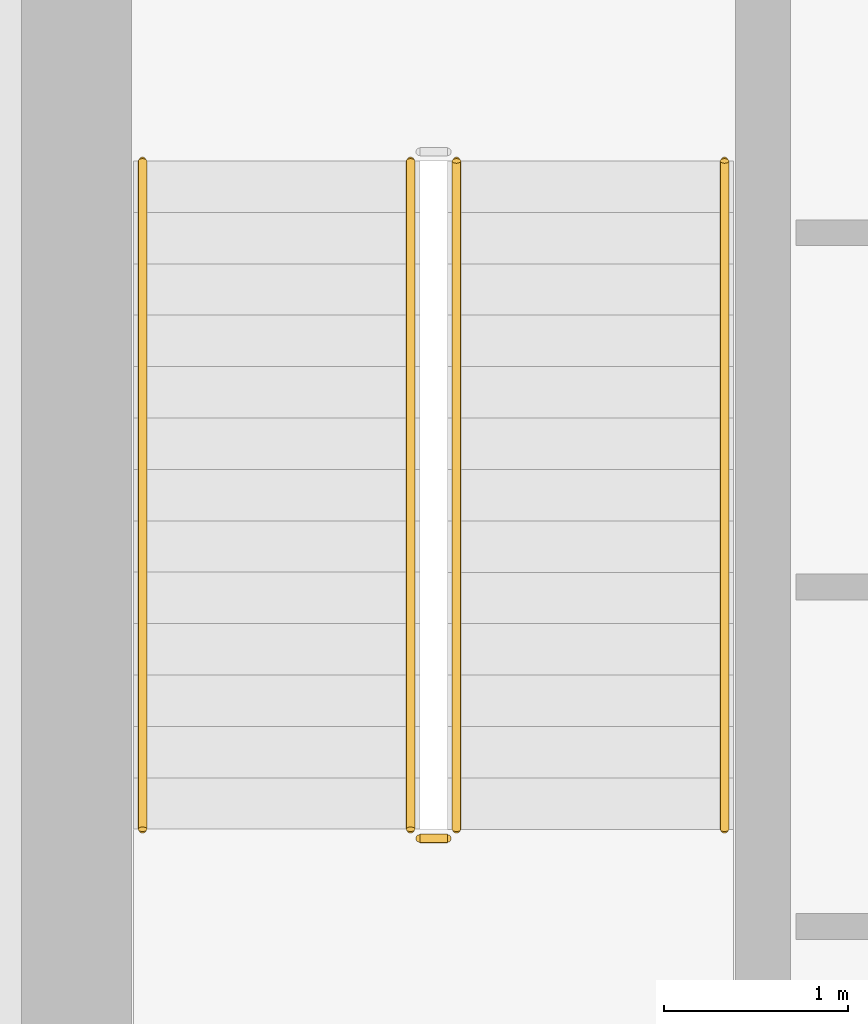
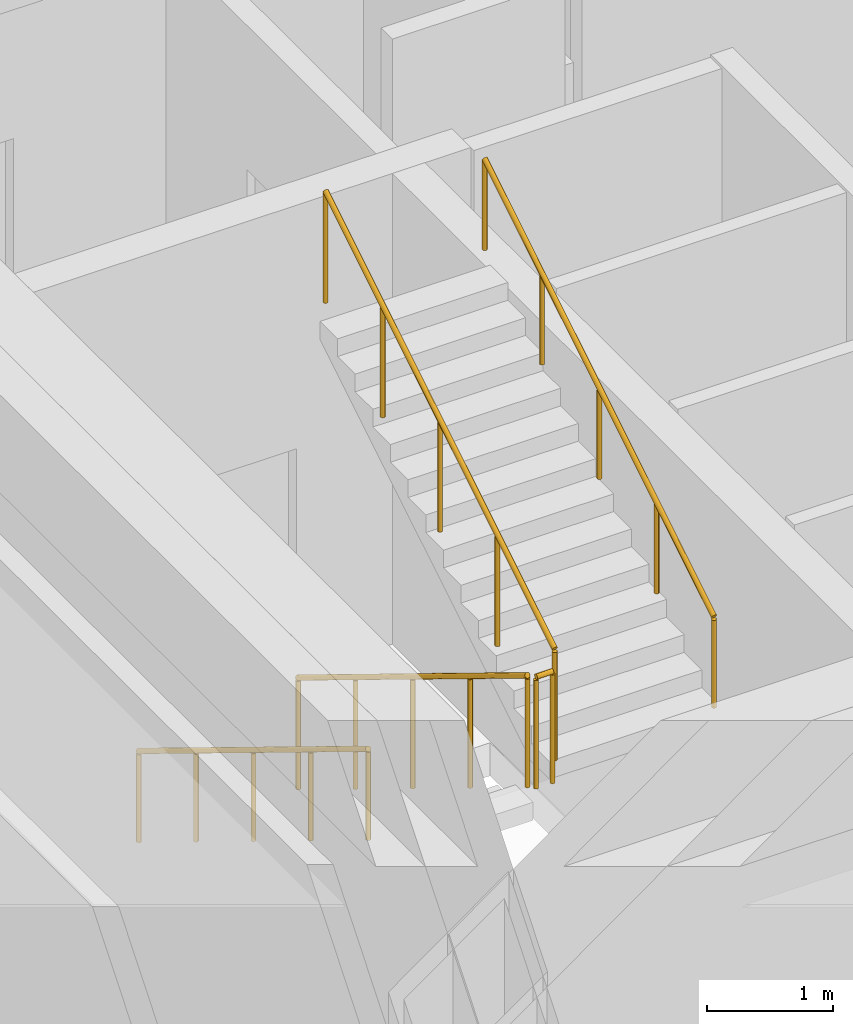
# One storey, part 6 of 10: 5 railings.
"""IFC4 building model written with IfcOpenShell, lengths in metres."""

from ifc_helpers import new_model, si_unit, direction, frame, origin, origin_2d, place, context, subcontext, project, spatial, circle, extrude, material, type_object, element, save


model = new_model("IFC4")

# Units and contexts
model_context = context("Model", 3, precision=1e-05, world=origin(), true_north=direction((0.0, 1.0)))
body_context = subcontext(model_context, "Body", "Model", "MODEL_VIEW")
ifc_project = project(units=[si_unit("LENGTHUNIT", "METRE"), si_unit("AREAUNIT", "SQUARE_METRE"), si_unit("VOLUMEUNIT", "CUBIC_METRE"), si_unit("PLANEANGLEUNIT", "RADIAN"), si_unit("MASSUNIT", "GRAM", prefix="KILO")], contexts=[model_context])

# Site, building, storey
site_placement = place(None, origin())
site = spatial("IfcSite", under=ifc_project, at=site_placement, CompositionType="ELEMENT")
building_placement = place(site_placement, origin())
building = spatial("IfcBuilding", under=site, at=building_placement, Name="Oramaril Tower", CompositionType="ELEMENT")
storey_placement = place(building_placement, frame((0.0, 0.0, 22.5)))
storey = spatial("IfcBuildingStorey", under=building, at=storey_placement, Name="L05", CompositionType="ELEMENT", Elevation=22.5)

# Railings
ifc_material_1 = material(Name="Stainless Steel 316L", Category="steel")
railing_type_1 = type_object("IfcRailingType", Name="RLT-GRD", PredefinedType="GUARDRAIL", material=ifc_material_1)
railing_1_placement = place(storey_placement, frame((31.4599609375, 17.590087890625, 0.17138671875)))
element("IfcRailing", 1, at=railing_1_placement, inside=storey, type_object=railing_type_1, Name="L05 ST-1 stair guard 1", PredefinedType="GUARDRAIL", context=body_context, shape_type="SweptSolid", body=[
    extrude(circle(Radius=0.02392578125, at=origin_2d()), frame((0.0, 0.0, 1.076171875), z_axis=(0.0, -0.852865859571, 0.52213008492), x_axis=(1.0, 0.0, 0.0)), (0.0, 0.0, 1.0), 4.26806640625),
    extrude(circle(Radius=0.02099609375, at=origin_2d()), origin(), (0.0, 0.0, 1.0), 1.052001953125),
    extrude(circle(Radius=0.02099609375, at=origin_2d()), frame((0.0, -0.91015625, 0.55712890625)), (0.0, 0.0, 1.0), 1.052001953125),
    extrude(circle(Radius=0.02099609375, at=origin_2d()), frame((0.0, -1.820068359375, 1.1142578125)), (0.0, 0.0, 1.0), 1.052001953125),
    extrude(circle(Radius=0.02099609375, at=origin_2d()), frame((0.0, -2.72998046875, 1.67138671875)), (0.0, 0.0, 1.0), 1.052001953125),
    extrude(circle(Radius=0.02099609375, at=origin_2d()), frame((0.0, -3.64013671875, 2.228515625)), (0.0, 0.0, 1.0), 1.052001953125),
])
railing_2_placement = place(storey_placement, frame((31.510009765625, 13.89990234375, 2.39990234375)))
element("IfcRailing", 2, at=railing_2_placement, inside=storey, type_object=railing_type_1, Name="L05 ST-1 stair guard 2", PredefinedType="GUARDRAIL", context=body_context, shape_type="SweptSolid", body=[
    extrude(circle(Radius=0.02392578125, at=origin_2d()), frame((0.0, 0.0, 1.076171875), z_axis=(1.0, 0.0, 0.0), x_axis=(0.0, 1.0, 0.0)), (0.0, 0.0, 1.0), 0.14990234375),
    extrude(circle(Radius=0.02099609375, at=origin_2d()), origin(), (0.0, 0.0, 1.0), 1.052001953125),
    extrude(circle(Radius=0.02099609375, at=origin_2d()), frame((0.14990234375, 0.0, 0.0)), (0.0, 0.0, 1.0), 1.052001953125),
])
railing_3_placement = place(storey_placement, frame((31.7099609375, 13.949951171875, 2.571533203125)))
element("IfcRailing", 3, at=railing_3_placement, inside=storey, type_object=railing_type_1, Name="L05 ST-1 stair guard 3", PredefinedType="GUARDRAIL", context=body_context, shape_type="SweptSolid", body=[
    extrude(circle(Radius=0.02392578125, at=origin_2d()), frame((0.0, 0.0, 1.076171875), z_axis=(0.0, 0.852865859571, 0.52213008492), x_axis=(-1.0, 0.0, 0.0)), (0.0, 0.0, 1.0), 4.26806640625),
    extrude(circle(Radius=0.02099609375, at=origin_2d()), origin(), (0.0, 0.0, 1.0), 1.052001953125),
    extrude(circle(Radius=0.02099609375, at=origin_2d()), frame((0.0, 0.91015625, 0.55712890625)), (0.0, 0.0, 1.0), 1.052001953125),
    extrude(circle(Radius=0.02099609375, at=origin_2d()), frame((0.0, 1.820068359375, 1.1142578125)), (0.0, 0.0, 1.0), 1.052001953125),
    extrude(circle(Radius=0.02099609375, at=origin_2d()), frame((0.0, 2.72998046875, 1.67138671875)), (0.0, 0.0, 1.0), 1.052001953125),
    extrude(circle(Radius=0.02099609375, at=origin_2d()), frame((0.0, 3.64013671875, 2.228515625)), (0.0, 0.0, 1.0), 1.052001953125),
])
ifc_material_2 = material(Name="Stainless Steel 316L", Category="steel")
railing_type_2 = type_object("IfcRailingType", Name="RLT-HND", PredefinedType="HANDRAIL", material=ifc_material_2)
railing_4_placement = place(storey_placement, frame((30.0, 17.590087890625, 0.17138671875)))
element("IfcRailing", 4, at=railing_4_placement, inside=storey, type_object=railing_type_2, Name="L05 ST-1 stair handrail 1", PredefinedType="HANDRAIL", context=body_context, shape_type="SweptSolid", body=[
    extrude(circle(Radius=0.02392578125, at=origin_2d()), frame((0.0, 0.0, 0.8759765625), z_axis=(0.0, -0.852865859571, 0.52213008492), x_axis=(1.0, 0.0, 0.0)), (0.0, 0.0, 1.0), 4.26806640625),
    extrude(circle(Radius=0.02099609375, at=origin_2d()), origin(), (0.0, 0.0, 1.0), 0.851806640625),
    extrude(circle(Radius=0.02099609375, at=origin_2d()), frame((0.0, -0.91015625, 0.55712890625)), (0.0, 0.0, 1.0), 0.851806640625),
    extrude(circle(Radius=0.02099609375, at=origin_2d()), frame((0.0, -1.820068359375, 1.1142578125)), (0.0, 0.0, 1.0), 0.851806640625),
    extrude(circle(Radius=0.02099609375, at=origin_2d()), frame((0.0, -2.72998046875, 1.67138671875)), (0.0, 0.0, 1.0), 0.851806640625),
    extrude(circle(Radius=0.02099609375, at=origin_2d()), frame((0.0, -3.64013671875, 2.228515625)), (0.0, 0.0, 1.0), 0.851806640625),
])
railing_5_placement = place(storey_placement, frame((33.169921875, 13.949951171875, 2.571533203125)))
element("IfcRailing", 5, at=railing_5_placement, inside=storey, type_object=railing_type_2, Name="L05 ST-1 stair handrail 2", PredefinedType="HANDRAIL", context=body_context, shape_type="SweptSolid", body=[
    extrude(circle(Radius=0.02392578125, at=origin_2d()), frame((0.0, 0.0, 0.8759765625), z_axis=(0.0, 0.852865859571, 0.52213008492), x_axis=(-1.0, 0.0, 0.0)), (0.0, 0.0, 1.0), 4.26806640625),
    extrude(circle(Radius=0.02099609375, at=origin_2d()), origin(), (0.0, 0.0, 1.0), 0.851806640625),
    extrude(circle(Radius=0.02099609375, at=origin_2d()), frame((0.0, 0.91015625, 0.55712890625)), (0.0, 0.0, 1.0), 0.851806640625),
    extrude(circle(Radius=0.02099609375, at=origin_2d()), frame((0.0, 1.820068359375, 1.1142578125)), (0.0, 0.0, 1.0), 0.851806640625),
    extrude(circle(Radius=0.02099609375, at=origin_2d()), frame((0.0, 2.72998046875, 1.67138671875)), (0.0, 0.0, 1.0), 0.851806640625),
    extrude(circle(Radius=0.02099609375, at=origin_2d()), frame((0.0, 3.64013671875, 2.228515625)), (0.0, 0.0, 1.0), 0.851806640625),
])

save(model, "model.ifc")
